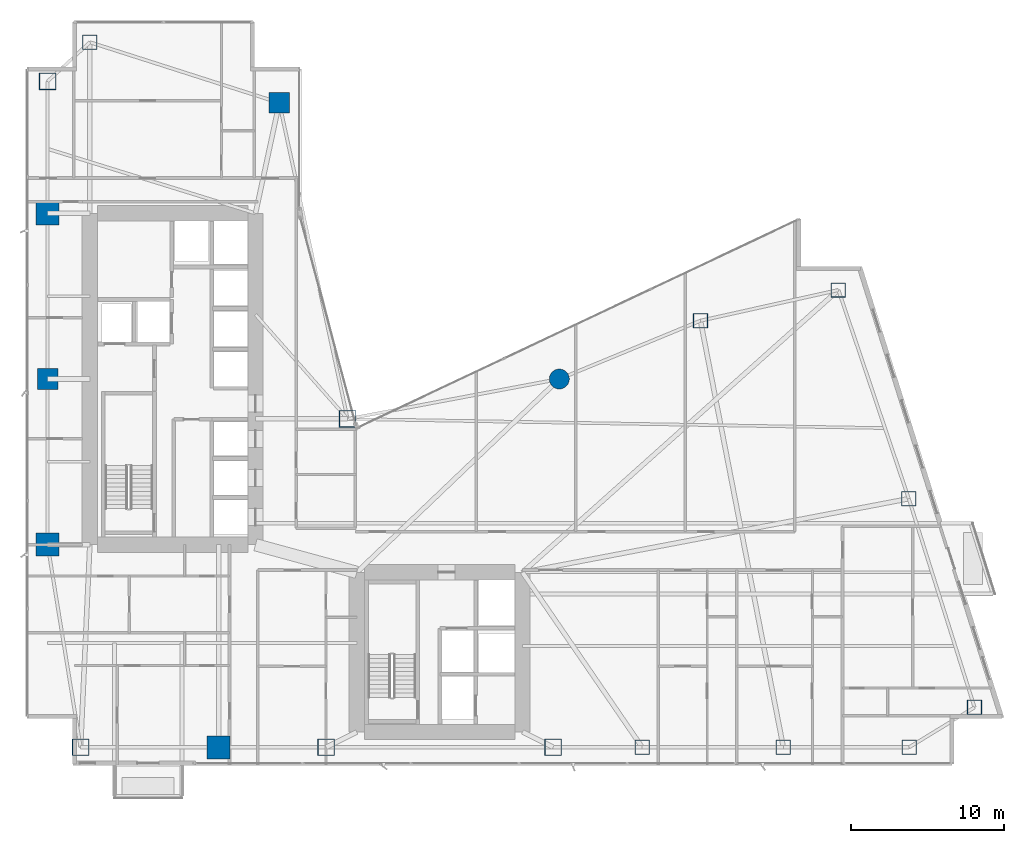
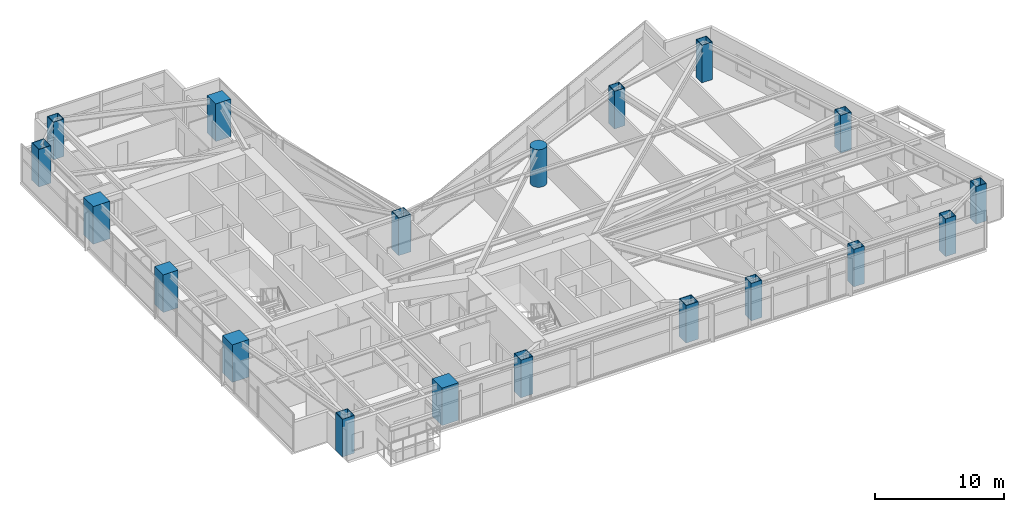
# One storey, part 1 of 29: 19 columns.
"""IFC4 building model written with IfcOpenShell, lengths in metres."""

from ifc_helpers import new_model, si_unit, direction, frame, origin, origin_2d, place, context, subcontext, project, spatial, rectangle, hollow_rectangle, circle, extrude, material, material_profile, profile_set, type_object, element, save


model = new_model("IFC4")

# Units and contexts
model_context = context("Model", 3, precision=1e-05, world=origin(), true_north=direction((0.0, 1.0)))
body_context = subcontext(model_context, "Body", "Model", "MODEL_VIEW")
ifc_project = project(units=[si_unit("LENGTHUNIT", "METRE"), si_unit("AREAUNIT", "SQUARE_METRE"), si_unit("VOLUMEUNIT", "CUBIC_METRE"), si_unit("PLANEANGLEUNIT", "RADIAN"), si_unit("MASSUNIT", "GRAM", prefix="KILO")], contexts=[model_context])

# Site, building, storey
site_placement = place(None, origin())
site = spatial("IfcSite", under=ifc_project, at=site_placement, CompositionType="ELEMENT")
building_placement = place(site_placement, origin())
building = spatial("IfcBuilding", under=site, at=building_placement, Name="Calvorn Quay Hotel", CompositionType="ELEMENT")
storey_placement = place(building_placement, frame((0.0, 0.0, 81.199951171875)))
storey = spatial("IfcBuildingStorey", under=building, at=storey_placement, Name="L19", CompositionType="ELEMENT", Elevation=81.199951171875)

# Columns
ifc_material_1 = material(Name="Concrete C60", Category="concrete")
ifc_material_profile_1 = material_profile(ifc_material_1, rectangle(XDim=1.35009765625, YDim=1.35009765625, at=origin_2d()), Name="RC1350x1350")
ifc_profile_set_1 = profile_set([ifc_material_profile_1], Name="Concrete C60")
column_type_1 = type_object("IfcColumnType", Name="COL-RC-1350", PredefinedType="COLUMN", material=ifc_profile_set_1)
for number, where, z_axis, x_axis, name in (
    (1, (1.449951171875, 27.60009765625, 0.0), (0.0, 0.0, 1.0), (1.0, 0.0, 0.0), "Column C-W3 (L19)"),
    (2, (16.550048828125, 45.60009765625, 0.0), (0.0, 0.0, 1.0), (1.0, 0.0, 0.0), "Column C-IC1 (L19)"),
):
    element("IfcColumn", number, at=place(storey_placement, frame(where, z_axis=z_axis, x_axis=x_axis)), inside=storey, type_object=column_type_1, Name=name, PredefinedType="COLUMN", context=body_context, shape_type="SweptSolid", body=[
        extrude(rectangle(XDim=1.35009765625, YDim=1.35009765625, at=origin_2d()), origin(), (0.0, 0.0, 1.0), 3.56005859375),
    ])
ifc_material_2 = material(Name="Concrete C60", Category="concrete")
ifc_material_profile_2 = material_profile(ifc_material_2, rectangle(XDim=1.5, YDim=1.5, at=origin_2d()), Name="RC1500x1500")
ifc_profile_set_2 = profile_set([ifc_material_profile_2], Name="Concrete C60")
column_type_2 = type_object("IfcColumnType", Name="COL-RC-1500", PredefinedType="COLUMN", material=ifc_profile_set_2)
for number, where, z_axis, x_axis, name in (
    (3, (1.449951171875, 16.800048828125, 0.0), (0.0, 0.0, 1.0), (1.0, 0.0, 0.0), "Column C-W2 (L19)"),
    (4, (1.449951171875, 38.39990234375, 0.0), (0.0, 0.0, 1.0), (1.0, 0.0, 0.0), "Column C-W4 (L19)"),
    (5, (12.60009765625, 3.60009765625, 0.0), (0.0, 0.0, 1.0), (1.0, 0.0, 0.0), "Column C-S1 (L19)"),
):
    element("IfcColumn", number, at=place(storey_placement, frame(where, z_axis=z_axis, x_axis=x_axis)), inside=storey, type_object=column_type_2, Name=name, PredefinedType="COLUMN", context=body_context, shape_type="SweptSolid", body=[
        extrude(rectangle(XDim=1.5, YDim=1.5, at=origin_2d()), origin(), (0.0, 0.0, 1.0), 3.56005859375),
    ])
ifc_material_3 = material(Name="Concrete C60", Category="concrete")
ifc_material_profile_3 = material_profile(ifc_material_3, circle(Radius=0.64990234375, at=origin_2d()), Name="RCD1300")
ifc_profile_set_3 = profile_set([ifc_material_profile_3], Name="Concrete C60")
column_type_3 = type_object("IfcColumnType", Name="COL-RC-D1300", PredefinedType="COLUMN", material=ifc_profile_set_3)
column_placement = place(storey_placement, frame((34.800048828125, 27.60009765625, 0.0), z_axis=(0.0, 0.0, 1.0), x_axis=(1.0, 0.0, 0.0)))
element("IfcColumn", 6, at=column_placement, inside=storey, type_object=column_type_3, Name="Column C-NC1 (L19)", PredefinedType="COLUMN", context=body_context, shape_type="SweptSolid", body=[
    extrude(circle(Radius=0.64990234375, at=origin_2d()), origin(), (0.0, 0.0, 1.0), 3.56005859375),
])
ifc_material_4 = material(Name="Steel Q420GJC", Category="steel")
ifc_material_profile_4 = material_profile(ifc_material_4, hollow_rectangle(XDim=1.10009765625, YDim=1.10009765625, WallThickness=0.044921875, at=origin_2d()), Name="BOX1100x1100x45")
ifc_profile_set_4 = profile_set([ifc_material_profile_4], Name="Steel Q420GJC")
column_type_4 = type_object("IfcColumnType", Name="COL-STL-MEGA1", PredefinedType="COLUMN", material=ifc_profile_set_4)
for number, where, z_axis, x_axis, name in (
    (7, (3.60009765625, 3.60009765625, 0.0), (0.0, 0.0, 1.0), (1.0, 0.0, 0.0), "Column C-W1 (L19)"),
    (8, (1.449951171875, 47.0, 0.0), (0.0, 0.0, 1.0), (1.0, 0.0, 0.0), "Column C-W5 (L19)"),
    (9, (21.0, 25.0, 0.0), (0.0, 0.0, 1.0), (1.0, 0.0, 0.0), "Column C-IC2 (L19)"),
    (10, (19.60009765625, 3.60009765625, 0.0), (0.0, 0.0, 1.0), (1.0, 0.0, 0.0), "Column C-S2 (L19)"),
    (11, (34.39990234375, 3.60009765625, 0.0), (0.0, 0.0, 1.0), (1.0, 0.0, 0.0), "Column C-S3 (L19)"),
):
    element("IfcColumn", number, at=place(storey_placement, frame(where, z_axis=z_axis, x_axis=x_axis)), inside=storey, type_object=column_type_4, Name=name, PredefinedType="COLUMN", context=body_context, shape_type="SweptSolid", body=[
        extrude(hollow_rectangle(XDim=1.10009765625, YDim=1.10009765625, WallThickness=0.044921875, at=origin_2d()), origin(), (0.0, 0.0, 1.0), 3.56005859375),
    ])
ifc_material_5 = material(Name="Steel Q420GJC", Category="steel")
ifc_material_profile_5 = material_profile(ifc_material_5, hollow_rectangle(XDim=0.949951171875, YDim=0.949951171875, WallThickness=0.0400390625, at=origin_2d()), Name="BOX950x950x40")
ifc_profile_set_5 = profile_set([ifc_material_profile_5], Name="Steel Q420GJC")
column_type_5 = type_object("IfcColumnType", Name="COL-STL-MEGA2", PredefinedType="COLUMN", material=ifc_profile_set_5)
for number, where, z_axis, x_axis, name in (
    (12, (4.199951171875, 49.550048828125, 0.0), (0.0, 0.0, 1.0), (1.0, 0.0, 0.0), "Column C-NW1 (L19)"),
    (13, (40.199951171875, 3.60009765625, 0.0), (0.0, 0.0, 1.0), (1.0, 0.0, 0.0), "Column C-S4 (L19)"),
    (14, (49.39990234375, 3.60009765625, 0.0), (0.0, 0.0, 1.0), (1.0, 0.0, 0.0), "Column C-S5 (L19)"),
    (15, (57.60009765625, 3.60009765625, 0.0), (0.0, 0.0, 1.0), (1.0, 0.0, 0.0), "Column C-S6 (L19)"),
    (16, (44.0, 31.39990234375, 0.0), (0.0, 0.0, 1.0), (1.0, 0.0, 0.0), "Column C-NC2 (L19)"),
    (17, (61.861083984375, 6.199951171875, 0.0), (0.0, 0.0, 1.0), (1.0, 0.0, 0.0), "Column C-ET1 (L19)"),
    (18, (57.575927734375, 19.800048828125, 0.0), (0.0, 0.0, 1.0), (1.0, 0.0, 0.0), "Column C-ET2 (L19)"),
    (19, (52.990966796875, 33.39990234375, 0.0), (0.0, 0.0, 1.0), (1.0, 0.0, 0.0), "Column C-ET3 (L19)"),
):
    element("IfcColumn", number, at=place(storey_placement, frame(where, z_axis=z_axis, x_axis=x_axis)), inside=storey, type_object=column_type_5, Name=name, PredefinedType="COLUMN", context=body_context, shape_type="SweptSolid", body=[
        extrude(hollow_rectangle(XDim=0.949951171875, YDim=0.949951171875, WallThickness=0.0400390625, at=origin_2d()), origin(), (0.0, 0.0, 1.0), 3.56005859375),
    ])

save(model, "model.ifc")
